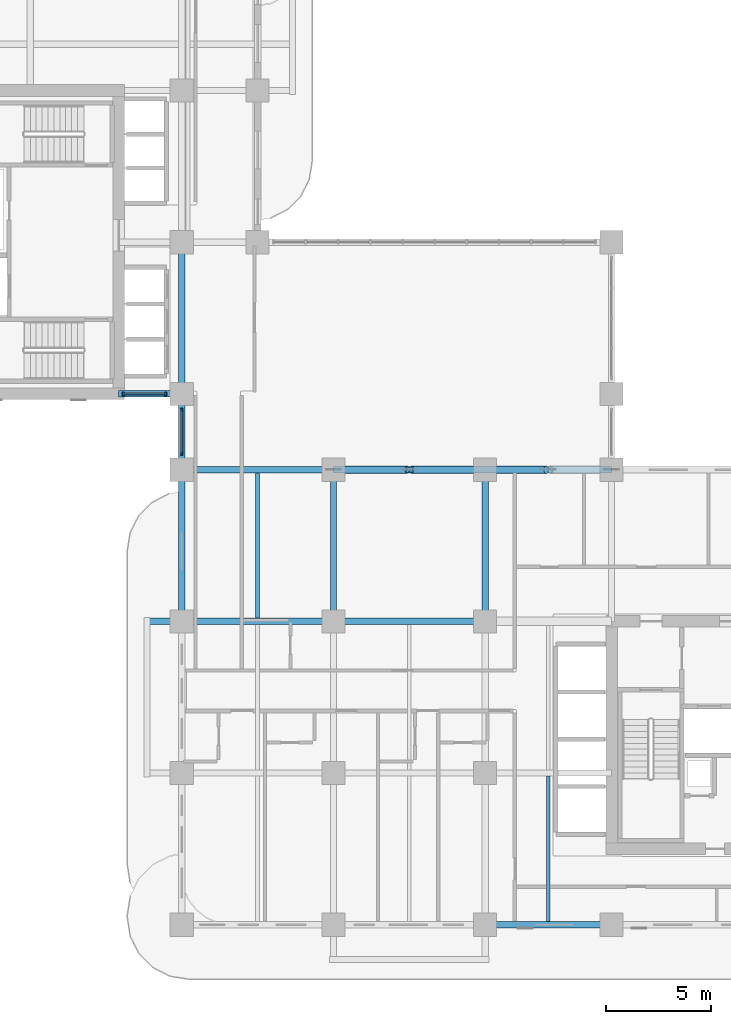
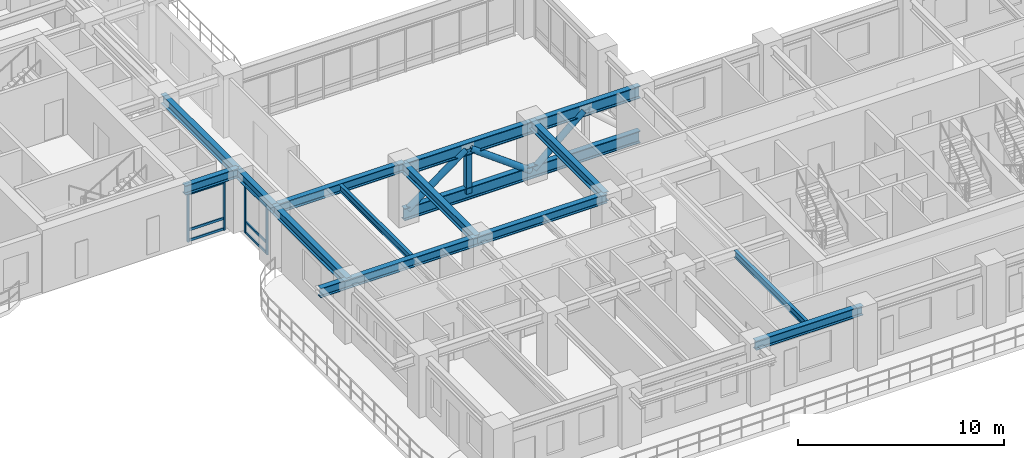
# One storey, part 2 of 21: 16 members, 12 beams, 2 elements without a shape of their own.
"""IFC4 building model written with IfcOpenShell, lengths in metres."""

from ifc_helpers import new_model, si_unit, derived_unit, direction, frame, origin, origin_2d, place, context, subcontext, project, spatial, rectangle, hollow_rectangle, hollow_circle, i_section, extrude, source, transform, mapped, material, layer, layer_set, material_profile, profile_set, type_object, type_shapes, element, aggregate, save


model = new_model("IFC4")

# Units and contexts
model_context = context("Model", 3, precision=1e-05, world=origin(), true_north=direction((0.0, 1.0)))
body_context = subcontext(model_context, "Body", "Model", "MODEL_VIEW")
ifc_project = project(units=[si_unit("LENGTHUNIT", "METRE"), si_unit("AREAUNIT", "SQUARE_METRE"), si_unit("VOLUMEUNIT", "CUBIC_METRE"), si_unit("PLANEANGLEUNIT", "RADIAN"), si_unit("MASSUNIT", "GRAM", prefix="KILO"), si_unit("THERMODYNAMICTEMPERATUREUNIT", "KELVIN"), si_unit("POWERUNIT", "WATT"), derived_unit("THERMALTRANSMITTANCEUNIT", [(si_unit("POWERUNIT", "WATT"), 1), (si_unit("AREAUNIT", "SQUARE_METRE"), -1), (si_unit("THERMODYNAMICTEMPERATUREUNIT", "KELVIN"), -1)])], contexts=[model_context])

# Site, building, storey
site_placement = place(None, origin())
site = spatial("IfcSite", under=ifc_project, at=site_placement, CompositionType="ELEMENT")
building_placement = place(site_placement, origin())
building = spatial("IfcBuilding", under=site, at=building_placement, Name="Zahravan Archway Hotel and Residences", CompositionType="ELEMENT")
storey_placement = place(building_placement, frame((0.0, 0.0, 69.39990234375)))
storey = spatial("IfcBuildingStorey", under=building, at=storey_placement, Name="L16", CompositionType="ELEMENT", Elevation=69.39990234375)

# Beams
ifc_material_1 = material(Name="Structural Steel S355JR", Category="steel")
ifc_material_profile_1 = material_profile(ifc_material_1, i_section(OverallWidth=0.300048828125, OverallDepth=0.550048828125, WebThickness=0.014892578125, FlangeThickness=0.029052734375, FilletRadius=0.027099609375, at=origin_2d()), Name="HEB 550", Category="steel")
ifc_profile_set_1 = profile_set([ifc_material_profile_1], Name="Structural Steel S355JR")
beam_type_1 = type_object("IfcBeamType", Name="BM-PRI-HEB550", PredefinedType="BEAM", material=ifc_profile_set_1)
shared_shape_1 = source(origin(), body_context, "Body", "SweptSolid", [
    extrude(i_section(OverallWidth=0.300048828125, OverallDepth=0.550048828125, WebThickness=0.014892578125, FlangeThickness=0.029052734375, FilletRadius=0.027099609375, at=origin_2d()), origin(), (0.0, 0.0, 1.0), 7.2001953125),
])
type_shapes(beam_type_1, [shared_shape_1])
for number, where, z_axis, x_axis, name in (
    (1, (14.39990234375, 21.60009765625, 3.175048828125), (1.0, 0.0, 0.0), (0.0, 1.0, 0.0), "L16 Primary Girder EW-14"),
    (2, (14.39990234375, 14.39990234375, 3.175048828125), (0.0, 1.0, 0.0), (-1.0, 0.0, 0.0), "L16 Primary Girder NS-32"),
    (3, (21.60009765625, 14.39990234375, 3.175048828125), (0.0, 1.0, 0.0), (-1.0, 0.0, 0.0), "L16 Primary Girder NS-39"),
    (4, (28.800048828125, 14.39990234375, 3.175048828125), (0.0, 1.0, 0.0), (-1.0, 0.0, 0.0), "L16 Primary Girder NS-42"),
):
    element("IfcBeam", number, at=place(storey_placement, frame(where, z_axis=z_axis, x_axis=x_axis)), inside=storey, type_object=beam_type_1, Name=name, PredefinedType="BEAM", context=body_context, shape_type="MappedRepresentation", body=[
        mapped(shared_shape_1, transform((0.0, 0.0, 0.0), scale=1.0)),
    ])
shared_shape_2 = source(origin(), body_context, "Body", "SweptSolid", [
    extrude(i_section(OverallWidth=0.300048828125, OverallDepth=0.550048828125, WebThickness=0.014892578125, FlangeThickness=0.029052734375, FilletRadius=0.027099609375, at=origin_2d()), origin(), (0.0, 0.0, 1.0), 7.199951171875),
])
for number, where, z_axis, x_axis, name in (
    (5, (21.60009765625, 14.39990234375, 3.175048828125), (1.0, 0.0, 0.0), (0.0, 1.0, 0.0), "L16 Primary Girder EW-12"),
    (6, (14.39990234375, 25.199951171875, 3.175048828125), (0.0, 1.0, 0.0), (-1.0, 0.0, 0.0), "L16 Primary Girder NS-34"),
):
    element("IfcBeam", number, at=place(storey_placement, frame(where, z_axis=z_axis, x_axis=x_axis)), inside=storey, type_object=beam_type_1, Name=name, PredefinedType="BEAM", context=body_context, shape_type="MappedRepresentation", body=[
        mapped(shared_shape_2, transform((0.0, 0.0, 0.0), scale=1.0)),
    ])
shared_shape_3 = source(origin(), body_context, "Body", "SweptSolid", [
    extrude(i_section(OverallWidth=0.300048828125, OverallDepth=0.550048828125, WebThickness=0.014892578125, FlangeThickness=0.029052734375, FilletRadius=0.027099609375, at=origin_2d()), origin(), (0.0, 0.0, 1.0), 6.0),
])
beam_1_placement = place(storey_placement, frame((28.800048828125, 0.0, 3.175048828125), z_axis=(1.0, 0.0, 0.0), x_axis=(0.0, 1.0, 0.0)))
element("IfcBeam", 7, at=beam_1_placement, inside=storey, type_object=beam_type_1, Name="L16 Primary Girder EW-03", PredefinedType="BEAM", context=body_context, shape_type="MappedRepresentation", body=[
    mapped(shared_shape_3, transform((0.0, 0.0, 0.0), scale=1.0)),
])
shared_shape_4 = source(origin(), body_context, "Body", "SweptSolid", [
    extrude(i_section(OverallWidth=0.300048828125, OverallDepth=0.550048828125, WebThickness=0.014892578125, FlangeThickness=0.029052734375, FilletRadius=0.027099609375, at=origin_2d()), origin(), (0.0, 0.0, 1.0), 8.85009765625),
])
beam_2_placement = place(storey_placement, frame((12.75, 14.39990234375, 3.175048828125), z_axis=(1.0, 0.0, 0.0), x_axis=(0.0, 1.0, 0.0)))
element("IfcBeam", 8, at=beam_2_placement, inside=storey, type_object=beam_type_1, Name="L16 Primary Girder EW-11", PredefinedType="BEAM", context=body_context, shape_type="MappedRepresentation", body=[
    mapped(shared_shape_4, transform((0.0, 0.0, 0.0), scale=1.0)),
])
shared_shape_5 = source(origin(), body_context, "Body", "SweptSolid", [
    extrude(i_section(OverallWidth=0.300048828125, OverallDepth=0.550048828125, WebThickness=0.014892578125, FlangeThickness=0.029052734375, FilletRadius=0.027099609375, at=origin_2d()), origin(), (0.0, 0.0, 1.0), 3.0),
])
beam_3_placement = place(storey_placement, frame((11.39990234375, 25.199951171875, 3.175048828125), z_axis=(1.0, 0.0, 0.0), x_axis=(0.0, 1.0, 0.0)))
element("IfcBeam", 9, at=beam_3_placement, inside=storey, type_object=beam_type_1, Name="L16 Primary Girder EW-18", PredefinedType="BEAM", context=body_context, shape_type="MappedRepresentation", body=[
    mapped(shared_shape_5, transform((0.0, 0.0, 0.0), scale=1.0)),
])
shared_shape_6 = source(origin(), body_context, "Body", "SweptSolid", [
    extrude(i_section(OverallWidth=0.300048828125, OverallDepth=0.550048828125, WebThickness=0.014892578125, FlangeThickness=0.029052734375, FilletRadius=0.027099609375, at=origin_2d()), origin(), (0.0, 0.0, 1.0), 3.599853515625),
])
beam_4_placement = place(storey_placement, frame((14.39990234375, 21.60009765625, 3.175048828125), z_axis=(0.0, 1.0, 0.0), x_axis=(-1.0, 0.0, 0.0)))
element("IfcBeam", 10, at=beam_4_placement, inside=storey, type_object=beam_type_1, Name="L16 Primary Girder NS-33", PredefinedType="BEAM", context=body_context, shape_type="MappedRepresentation", body=[
    mapped(shared_shape_6, transform((0.0, 0.0, 0.0), scale=1.0)),
])
ifc_material_profile_2 = material_profile(ifc_material_1, i_section(OverallWidth=0.179931640625, OverallDepth=0.39990234375, WebThickness=0.008544921875, FlangeThickness=0.013427734375, FilletRadius=0.02099609375, at=origin_2d()), Name="IPE 400", Category="steel")
ifc_profile_set_2 = profile_set([ifc_material_profile_2], Name="Structural Steel S355JR")
beam_type_2 = type_object("IfcBeamType", Name="BM-JST-IPE400", PredefinedType="JOIST", material=ifc_profile_set_2)
shared_shape_7 = source(origin(), body_context, "Body", "SweptSolid", [
    extrude(i_section(OverallWidth=0.179931640625, OverallDepth=0.39990234375, WebThickness=0.008544921875, FlangeThickness=0.013427734375, FilletRadius=0.02099609375, at=origin_2d()), origin(), (0.0, 0.0, 1.0), 6.904052734375),
])
type_shapes(beam_type_2, [shared_shape_7])
beam_5_placement = place(storey_placement, frame((31.800048828125, 0.14794921875, 3.25), z_axis=(0.0, 1.0, 0.0), x_axis=(-1.0, 0.0, 0.0)))
element("IfcBeam", 11, at=beam_5_placement, inside=storey, type_object=beam_type_2, Name="L16 Composite Floor Joist 03", PredefinedType="JOIST", context=body_context, shape_type="MappedRepresentation", body=[
    mapped(shared_shape_7, transform((0.0, 0.0, 0.0), scale=1.0)),
])
shared_shape_8 = source(origin(), body_context, "Body", "SweptSolid", [
    extrude(i_section(OverallWidth=0.179931640625, OverallDepth=0.39990234375, WebThickness=0.008544921875, FlangeThickness=0.013427734375, FilletRadius=0.02099609375, at=origin_2d()), origin(), (0.0, 0.0, 1.0), 6.90380859375),
])
beam_6_placement = place(storey_placement, frame((18.0, 14.548095703125, 3.25), z_axis=(0.0, 1.0, 0.0), x_axis=(-1.0, 0.0, 0.0)))
element("IfcBeam", 12, at=beam_6_placement, inside=storey, type_object=beam_type_2, Name="L16 Composite Floor Joist 09", PredefinedType="JOIST", context=body_context, shape_type="MappedRepresentation", body=[
    mapped(shared_shape_8, transform((0.0, 0.0, 0.0), scale=1.0)),
])

# Members
ifc_material_2 = material(Name="Structural Steel S460M", Category="steel")
ifc_material_profile_3 = material_profile(ifc_material_2, i_section(OverallWidth=0.303955078125, OverallDepth=0.716064453125, WebThickness=0.02099609375, FlangeThickness=0.0400390625, FilletRadius=0.027099609375, at=origin_2d()), Name="HEM 700", Category="steel")
ifc_profile_set_3 = profile_set([ifc_material_profile_3], Name="Structural Steel S460M")
member_type_1 = type_object("IfcMemberType", Name="MEM-CHD-HEM700", PredefinedType="CHORD", material=ifc_profile_set_3)
shared_shape_9 = source(origin(), body_context, "Body", "SweptSolid", [
    extrude(i_section(OverallWidth=0.303955078125, OverallDepth=0.716064453125, WebThickness=0.02099609375, FlangeThickness=0.0400390625, FilletRadius=0.027099609375, at=origin_2d()), origin(), (0.0, 0.0, 1.0), 13.199951171875),
])
type_shapes(member_type_1, [shared_shape_9])
for number, where, z_axis, x_axis, name in (
    (13, (21.60009765625, 21.60009765625, 3.0), (1.0, 0.0, 0.0), (0.0, 1.0, 0.0), "L16 Sky-Bridge Truss Top Chord"),
    (14, (21.60009765625, 21.60009765625, 0.35009765625), (1.0, 0.0, 0.0), (0.0, 1.0, 0.0), "L16 Sky-Bridge Truss Bottom Chord"),
):
    element("IfcMember", number, at=place(storey_placement, frame(where, z_axis=z_axis, x_axis=x_axis)), inside=storey, type_object=member_type_1, Name=name, PredefinedType="CHORD", context=body_context, shape_type="MappedRepresentation", body=[
        mapped(shared_shape_9, transform((0.0, 0.0, 0.0), scale=1.0)),
    ])
ifc_material_3 = material(Name="Structural Steel S355J2", Category="steel")
ifc_material_profile_4 = material_profile(ifc_material_3, hollow_circle(Radius=0.177734375, WallThickness=0.01611328125, at=origin_2d()), Name="CHS 355.6x16", Category="steel")
ifc_profile_set_4 = profile_set([ifc_material_profile_4], Name="Structural Steel S355J2")
member_type_2 = type_object("IfcMemberType", Name="MEM-DIAG-CHS355", PredefinedType="BRACE", material=ifc_profile_set_4)
shared_shape_10 = source(origin(), body_context, "Body", "SweptSolid", [
    extrude(hollow_circle(Radius=0.177734375, WallThickness=0.01611328125, at=origin_2d()), origin(), (0.0, 0.0, 1.0), 4.05029296875),
])
type_shapes(member_type_2, [shared_shape_10])
member_1_placement = place(storey_placement, frame((21.825439453125, 21.60009765625, 0.51611328125), z_axis=(0.805370856199, 0.0, 0.592771274595), x_axis=(0.0, 1.0, 0.0)))
element("IfcMember", 15, at=member_1_placement, inside=storey, type_object=member_type_2, Name="L16 Sky-Bridge Truss Diagonal 1", PredefinedType="BRACE", context=body_context, shape_type="MappedRepresentation", body=[
    mapped(shared_shape_10, transform((0.0, 0.0, 0.0), scale=1.0)),
])
shared_shape_11 = source(origin(), body_context, "Body", "SweptSolid", [
    extrude(hollow_circle(Radius=0.177734375, WallThickness=0.01611328125, at=origin_2d()), origin(), (0.0, 0.0, 1.0), 4.190185546875),
])
member_2_placement = place(storey_placement, frame((25.312744140625, 21.60009765625, 2.9169921875), z_axis=(0.805351564938, 0.0, -0.592797483843), x_axis=(0.0, 1.0, 0.0)))
element("IfcMember", 16, at=member_2_placement, inside=storey, type_object=member_type_2, Name="L16 Sky-Bridge Truss Diagonal 2", PredefinedType="BRACE", context=body_context, shape_type="MappedRepresentation", body=[
    mapped(shared_shape_11, transform((0.0, 0.0, 0.0), scale=1.0)),
])
ifc_material_profile_5 = material_profile(ifc_material_3, hollow_rectangle(XDim=0.300048828125, YDim=0.300048828125, WallThickness=0.01611328125, at=origin_2d()), Name="SHS 300x300x16", Category="steel")
ifc_profile_set_5 = profile_set([ifc_material_profile_5], Name="Structural Steel S355J2")
member_type_3 = type_object("IfcMemberType", Name="MEM-POST-SHS300", PredefinedType="POST", material=ifc_profile_set_5)
shared_shape_12 = source(origin(), body_context, "Body", "SweptSolid", [
    extrude(hollow_rectangle(XDim=0.300048828125, YDim=0.300048828125, WallThickness=0.01611328125, at=origin_2d()), origin(), (0.0, 0.0, 1.0), 2.64990234375),
])
type_shapes(member_type_3, [shared_shape_12])
member_3_placement = place(storey_placement, frame((25.199951171875, 21.60009765625, 0.35009765625), z_axis=(0.0, 0.0, 1.0), x_axis=(1.0, 0.0, 0.0)))
element("IfcMember", 17, at=member_3_placement, inside=storey, type_object=member_type_3, Name="L16 Sky-Bridge Truss Post 1", PredefinedType="POST", context=body_context, shape_type="MappedRepresentation", body=[
    mapped(shared_shape_12, transform((0.0, 0.0, 0.0), scale=1.0)),
])
shared_shape_13 = source(origin(), body_context, "Body", "SweptSolid", [
    extrude(hollow_circle(Radius=0.177734375, WallThickness=0.01611328125, at=origin_2d()), origin(), (0.0, 0.0, 1.0), 3.722900390625),
])
member_4_placement = place(storey_placement, frame((28.90478515625, 21.60009765625, 0.44287109375), z_axis=(0.749493276792, 0.0, 0.662011954608), x_axis=(0.0, 1.0, 0.0)))
element("IfcMember", 18, at=member_4_placement, inside=storey, type_object=member_type_2, Name="L16 Sky-Bridge Truss Diagonal 3", PredefinedType="BRACE", context=body_context, shape_type="MappedRepresentation", body=[
    mapped(shared_shape_13, transform((0.0, 0.0, 0.0), scale=1.0)),
])

# Curtain wall, members
ifc_material_4 = material(Name="Bronze-Anodized Unitised Aluminium & Low-E Glass", Category="aluminium")
ifc_layer = layer(ifc_material_4, 0.179931640625, Name="Bronze-Anodized Unitised Aluminium & Low-E Glass", Category="aluminium")
ifc_layer_set = layer_set([ifc_layer], Name="Bronze-Anodized Unitised Aluminium & Low-E Glass")
curtain_wall_type = type_object("IfcCurtainWallType", Name="CW-SBG-1", PredefinedType="NOTDEFINED", material=ifc_layer_set)
curtain_wall_1_placement = place(storey_placement, origin())
curtain_wall_1 = element("IfcCurtainWall", 19, at=curtain_wall_1_placement, inside=storey, type_object=curtain_wall_type, Name="L16 Curtain Wall CW-L16-WA-WLU-1", PredefinedType="NOTDEFINED")
ifc_material_5 = material(Name="Bronze-Anodized Extruded Aluminium", Category="aluminium")
ifc_material_profile_6 = material_profile(ifc_material_5, rectangle(XDim=0.080078125, YDim=0.159912109375, at=origin_2d()), Name="MUL 80x160", Category="aluminium")
ifc_profile_set_6 = profile_set([ifc_material_profile_6], Name="Bronze-Anodized Extruded Aluminium")
member_type_4 = type_object("IfcMemberType", Name="CWM-MUL-160", PredefinedType="MULLION", material=ifc_profile_set_6)
shared_shape_14 = source(origin(), body_context, "Body", "SweptSolid", [
    extrude(rectangle(XDim=0.080078125, YDim=0.159912109375, at=origin_2d()), origin(), (0.0, 0.0, 1.0), 2.885009765625),
])
member_5_placement = place(storey_placement, frame((14.39990234375, 22.360107421875, 0.0), z_axis=(0.0, 0.0, 1.0), x_axis=(1.0, 0.0, 0.0)))
member_5 = element("IfcMember", 20, at=member_5_placement, type_object=member_type_4, Name="CW-L16-WA-WLU-1 Mullion 0", PredefinedType="MULLION", context=body_context, shape_type="MappedRepresentation", body=[
    mapped(shared_shape_14, transform((0.0, 0.0, 0.0), scale=1.0)),
])
member_6_placement = place(storey_placement, frame((14.39990234375, 24.43994140625, 0.0), z_axis=(0.0, 0.0, 1.0), x_axis=(1.0, 0.0, 0.0)))
member_6 = element("IfcMember", 21, at=member_6_placement, type_object=member_type_4, Name="CW-L16-WA-WLU-1 Mullion 1", PredefinedType="MULLION", context=body_context, shape_type="MappedRepresentation", body=[
    mapped(shared_shape_14, transform((0.0, 0.0, 0.0), scale=1.0)),
])

curtain_wall_2_placement = place(storey_placement, origin())
curtain_wall_2 = element("IfcCurtainWall", 22, at=curtain_wall_2_placement, inside=storey, type_object=curtain_wall_type, Name="L16 Curtain Wall CW-L16-WB-SE-1", PredefinedType="NOTDEFINED")
member_7_placement = place(storey_placement, frame((11.6201171875, 25.199951171875, 0.0), z_axis=(0.0, 0.0, 1.0), x_axis=(1.0, 0.0, 0.0)))
member_7 = element("IfcMember", 23, at=member_7_placement, type_object=member_type_4, Name="CW-L16-WB-SE-1 Mullion 0", PredefinedType="MULLION", context=body_context, shape_type="MappedRepresentation", body=[
    mapped(shared_shape_14, transform((0.0, 0.0, 0.0), scale=1.0)),
])
member_8_placement = place(storey_placement, frame((13.639892578125, 25.199951171875, 0.0), z_axis=(0.0, 0.0, 1.0), x_axis=(1.0, 0.0, 0.0)))
member_8 = element("IfcMember", 24, at=member_8_placement, type_object=member_type_4, Name="CW-L16-WB-SE-1 Mullion 1", PredefinedType="MULLION", context=body_context, shape_type="MappedRepresentation", body=[
    mapped(shared_shape_14, transform((0.0, 0.0, 0.0), scale=1.0)),
])
ifc_material_profile_7 = material_profile(ifc_material_5, rectangle(XDim=0.080078125, YDim=0.139892578125, at=origin_2d()), Name="TRN 80x140", Category="aluminium")
ifc_profile_set_7 = profile_set([ifc_material_profile_7], Name="Bronze-Anodized Extruded Aluminium")
member_type_5 = type_object("IfcMemberType", Name="CWM-TRN-140", PredefinedType="USERDEFINED", material=ifc_profile_set_7)
shared_shape_15 = source(origin(), body_context, "Body", "SweptSolid", [
    extrude(rectangle(XDim=0.080078125, YDim=0.139892578125, at=origin_2d()), origin(), (0.0, 0.0, 1.0), 1.940185546875),
])
member_9_placement = place(storey_placement, frame((11.659912109375, 25.199951171875, 0.070068359375), z_axis=(1.0, 0.0, 0.0), x_axis=(0.0, 1.0, 0.0)))
member_9 = element("IfcMember", 25, at=member_9_placement, type_object=member_type_5, Name="CW-L16-WB-SE-1 Transom 0-1", ObjectType="TRANSOM", PredefinedType="USERDEFINED", context=body_context, shape_type="MappedRepresentation", body=[
    mapped(shared_shape_15, transform((0.0, 0.0, 0.0), scale=1.0)),
])
member_10_placement = place(storey_placement, frame((11.659912109375, 25.199951171875, 0.6923828125), z_axis=(1.0, 0.0, 0.0), x_axis=(0.0, 1.0, 0.0)))
member_10 = element("IfcMember", 26, at=member_10_placement, type_object=member_type_5, Name="CW-L16-WB-SE-1 Transom 0-2", ObjectType="TRANSOM", PredefinedType="USERDEFINED", context=body_context, shape_type="MappedRepresentation", body=[
    mapped(shared_shape_15, transform((0.0, 0.0, 0.0), scale=1.0)),
])
member_11_placement = place(storey_placement, frame((11.659912109375, 25.199951171875, 2.815185546875), z_axis=(1.0, 0.0, 0.0), x_axis=(0.0, 1.0, 0.0)))
member_11 = element("IfcMember", 27, at=member_11_placement, type_object=member_type_5, Name="CW-L16-WB-SE-1 Transom 0-3", ObjectType="TRANSOM", PredefinedType="USERDEFINED", context=body_context, shape_type="MappedRepresentation", body=[
    mapped(shared_shape_15, transform((0.0, 0.0, 0.0), scale=1.0)),
])
aggregate(curtain_wall_2, [member_7, member_8, member_9, member_10, member_11])

# Member
shared_shape_16 = source(origin(), body_context, "Body", "SweptSolid", [
    extrude(rectangle(XDim=0.080078125, YDim=0.139892578125, at=origin_2d()), origin(), (0.0, 0.0, 1.0), 2.0),
])
member_12_placement = place(storey_placement, frame((14.39990234375, 22.39990234375, 0.070068359375), z_axis=(0.0, 1.0, 0.0), x_axis=(-1.0, 0.0, 0.0)))
member_12 = element("IfcMember", 28, at=member_12_placement, type_object=member_type_5, Name="CW-L16-WA-WLU-1 Transom 0-1", ObjectType="TRANSOM", PredefinedType="USERDEFINED", context=body_context, shape_type="MappedRepresentation", body=[
    mapped(shared_shape_16, transform((0.0, 0.0, 0.0), scale=1.0)),
])

member_13_placement = place(storey_placement, frame((14.39990234375, 22.39990234375, 0.6923828125), z_axis=(0.0, 1.0, 0.0), x_axis=(-1.0, 0.0, 0.0)))
member_13 = element("IfcMember", 29, at=member_13_placement, type_object=member_type_5, Name="CW-L16-WA-WLU-1 Transom 0-2", ObjectType="TRANSOM", PredefinedType="USERDEFINED", context=body_context, shape_type="MappedRepresentation", body=[
    mapped(shared_shape_16, transform((0.0, 0.0, 0.0), scale=1.0)),
])

member_14_placement = place(storey_placement, frame((14.39990234375, 22.39990234375, 2.815185546875), z_axis=(0.0, 1.0, 0.0), x_axis=(-1.0, 0.0, 0.0)))
member_14 = element("IfcMember", 30, at=member_14_placement, type_object=member_type_5, Name="CW-L16-WA-WLU-1 Transom 0-3", ObjectType="TRANSOM", PredefinedType="USERDEFINED", context=body_context, shape_type="MappedRepresentation", body=[
    mapped(shared_shape_16, transform((0.0, 0.0, 0.0), scale=1.0)),
])

aggregate(curtain_wall_1, [member_5, member_6, member_12, member_13, member_14])

save(model, "model.ifc")
